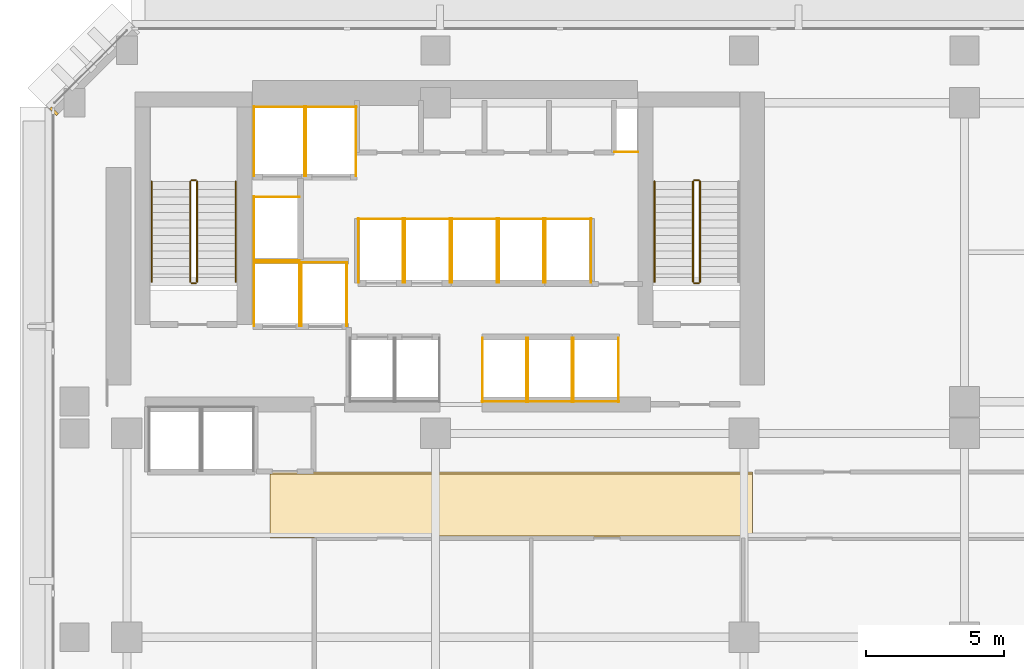
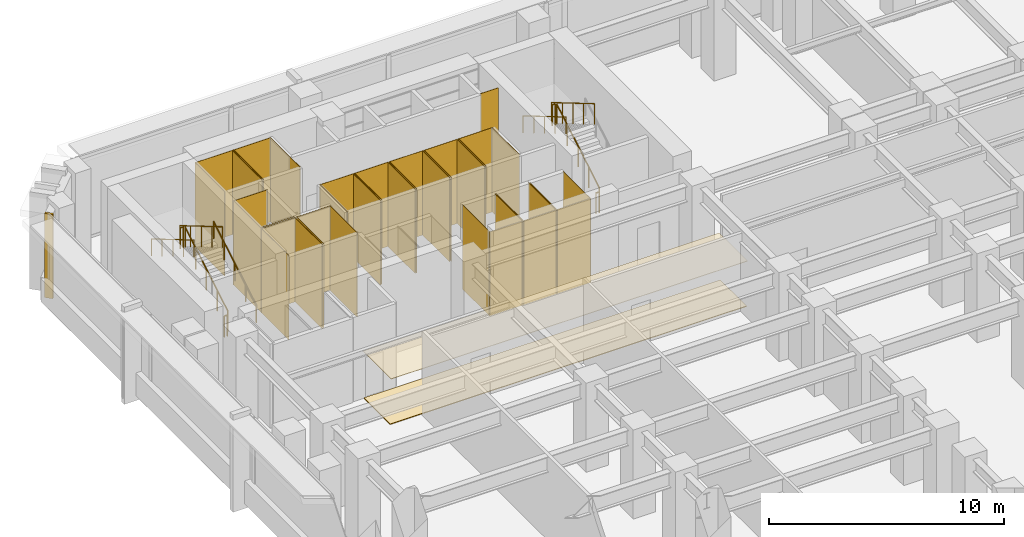
# One storey, part 12 of 14: 43 coverings, 11 railings.
"""IFC4 building model written with IfcOpenShell, lengths in metres."""

import ifcopenshell
import ifcopenshell.guid

model = None  # the IFC model being written
_history = None  # IfcOwnerHistory: only IFC2X3 demands one
_inside = {}  # id of a spatial element -> (the spatial element, [elements in it])
_under = {}  # id of a project, library or spatial element -> (it, [spatial elements below it])
_declared = {}  # id of a project -> (the project, [libraries it declares])
_typed = {}  # id of a type object -> (the type object, [elements of that type])
_made_of = {}  # id of a material, layer set ... -> (it, [elements and type objects made of it])


def new_model(schema):
    """Start an empty IFC model of exactly this schema.

    Asked for "IFC4X3", IfcOpenShell would pick the latest addendum, in which some entities
    have other attributes; the version numbers below select the first issue.
    IFC2X3 requires an IfcOwnerHistory on every rooted entity: one is made here for all.
    """
    global model, _history
    if schema == "IFC4X3":
        model = ifcopenshell.file(schema_version=(4, 3, 0, 0))
    else:
        model = ifcopenshell.file(schema=schema)
    _inside.clear()
    _under.clear()
    _declared.clear()
    _typed.clear()
    _made_of.clear()
    _history = None
    if model.schema == "IFC2X3":
        org = make("IfcOrganization", Name="unknown")
        user = make(
            "IfcPersonAndOrganization",
            ThePerson=make("IfcPerson", FamilyName="unknown"),
            TheOrganization=org,
        )
        app = make(
            "IfcApplication",
            ApplicationDeveloper=org,
            Version="unknown",
            ApplicationFullName="unknown",
            ApplicationIdentifier="unknown",
        )
        _history = make(
            "IfcOwnerHistory",
            OwningUser=user,
            OwningApplication=app,
            ChangeAction="ADDED",
            CreationDate=0,
        )
    return model


def make(cls, **values):
    """One entity of the class cls with the attributes given. An attribute that is None is left unset."""
    return model.create_entity(
        cls, **{name: value for name, value in values.items() if value is not None}
    )


def rooted(cls, **values):
    """An entity with a GlobalId (a new one), such as an element, a storey or a relation."""
    return make(cls, GlobalId=ifcopenshell.guid.new(), OwnerHistory=_history, **values)


def si_unit(unit_type, name, prefix=None):
    """IfcSIUnit, for example si_unit("LENGTHUNIT", "METRE", prefix="MILLI")."""
    return make("IfcSIUnit", UnitType=unit_type, Prefix=prefix, Name=name)


def assignment(units):
    """IfcUnitAssignment: the units of a project."""
    return None if units is None else make("IfcUnitAssignment", Units=units)


def point(xyz):
    """IfcCartesianPoint."""
    return None if xyz is None else make("IfcCartesianPoint", Coordinates=xyz)


def direction(xyz):
    """IfcDirection."""
    return None if xyz is None else make("IfcDirection", DirectionRatios=xyz)


def frame(location, z_axis=None, x_axis=None):
    """IfcAxis2Placement3D, a coordinate frame: its origin and axes. An axis left out is left unset."""
    return make(
        "IfcAxis2Placement3D",
        Location=point(location),
        Axis=direction(z_axis),
        RefDirection=direction(x_axis),
    )


def frame_2d(location, x_axis=None):
    """IfcAxis2Placement2D, a coordinate frame in the plane: its origin and x axis."""
    return make(
        "IfcAxis2Placement2D", Location=point(location), RefDirection=direction(x_axis)
    )


def origin():
    """The frame at (0, 0, 0) with its axes left unset."""
    return frame((0.0, 0.0, 0.0))


def origin_2d():
    """The frame at (0, 0) in the plane with its x axis left unset."""
    return frame_2d((0.0, 0.0))


def place(relative_to, where):
    """IfcLocalPlacement: puts the frame where relative to a parent placement (None: the world)."""
    return make(
        "IfcLocalPlacement", PlacementRelTo=relative_to, RelativePlacement=where
    )


def context(
    kind, dimensions, precision=None, world=None, true_north=None, identifier=None
):
    """IfcGeometricRepresentationContext, for example the 3D "Model" context."""
    return make(
        "IfcGeometricRepresentationContext",
        ContextIdentifier=identifier,
        ContextType=kind,
        CoordinateSpaceDimension=dimensions,
        Precision=precision,
        WorldCoordinateSystem=world,
        TrueNorth=true_north,
    )


def subcontext(parent, identifier, kind, view, scale=None):
    """IfcGeometricRepresentationSubContext, for example "Body" below "Model"."""
    return make(
        "IfcGeometricRepresentationSubContext",
        ContextIdentifier=identifier,
        ContextType=kind,
        ParentContext=parent,
        TargetScale=scale,
        TargetView=view,
    )


def project(units=None, contexts=None):
    """IfcProject with its units and contexts."""
    return rooted(
        "IfcProject",
        Name="project",
        RepresentationContexts=contexts,
        UnitsInContext=assignment(units),
    )


def spatial(cls, under=None, at=None, **own):
    """A site, building, storey or space (cls), placed at a placement, below another one or the project."""
    s = rooted(cls, ObjectPlacement=at, **own)
    if under is not None:
        _under.setdefault(under.id(), (under, []))[1].append(s)
    return s


def polyline(points):
    """IfcPolyline through the points."""
    return make("IfcPolyline", Points=[point(p) for p in points])


def profile(cls, at=None, kind="AREA", **sizes):
    """A parametric profile (cls). Its sizes go by their IFC names, for example OverallWidth=200.0."""
    return make(cls, ProfileType=kind, Position=at, **sizes)


def rectangle(**sizes):
    """IfcRectangleProfileDef."""
    return profile("IfcRectangleProfileDef", **sizes)


def circle(**sizes):
    """IfcCircleProfileDef."""
    return profile("IfcCircleProfileDef", **sizes)


def outline(outer, holes=None, kind="AREA"):
    """IfcArbitraryClosedProfileDef: a profile drawn as a closed curve; with holes, ...WithVoids."""
    if holes is None:
        return make("IfcArbitraryClosedProfileDef", ProfileType=kind, OuterCurve=outer)
    return make(
        "IfcArbitraryProfileDefWithVoids",
        ProfileType=kind,
        OuterCurve=outer,
        InnerCurves=holes,
    )


def extrude(swept, where, along, depth):
    """IfcExtrudedAreaSolid: the profile swept, set in the frame where, extruded along a direction by depth."""
    return make(
        "IfcExtrudedAreaSolid",
        SweptArea=swept,
        Position=where,
        ExtrudedDirection=direction(along),
        Depth=depth,
    )


def shape(context_of_items, identifier, shape_type, items):
    """IfcShapeRepresentation: the items that make up one representation, for example the "Body"."""
    return make(
        "IfcShapeRepresentation",
        ContextOfItems=context_of_items,
        RepresentationIdentifier=identifier,
        RepresentationType=shape_type,
        Items=items,
    )


def material(Name=None, Category=None):
    """IfcMaterial."""
    return make("IfcMaterial", Name=Name, Category=Category)


def layer(
    of_material, thickness, ventilated=None, Name=None, Category=None, Priority=None
):
    """IfcMaterialLayer: one layer of a wall or slab, of a material (None: an air gap)."""
    return make(
        "IfcMaterialLayer",
        Material=of_material,
        LayerThickness=thickness,
        IsVentilated=ventilated,
        Name=Name,
        Category=Category,
        Priority=Priority,
    )


def layer_set(layers, Name=None):
    """IfcMaterialLayerSet."""
    return make("IfcMaterialLayerSet", MaterialLayers=layers, LayerSetName=Name)


def made_of(thing, what):
    """Note that an element or type object is made of a material, layer set ...; save() writes the relation."""
    if what is not None:
        _made_of.setdefault(what.id(), (what, []))[1].append(thing)
    return thing


def type_object(cls, material=None, **own):
    """A type object (cls), such as IfcWallType, which elements share."""
    return made_of(rooted(cls, **own), material)


def element(
    cls,
    number,
    at=None,
    inside=None,
    cuts=None,
    type_object=None,
    material=None,
    context=None,
    identifier="Body",
    shape_type=None,
    held_by="IfcProductDefinitionShape",
    body=None,
    shapes=None,
    **own,
):
    """One element of the class cls, such as IfcWall. Its Tag is "e" and its number.

    at: its placement. inside: the storey or other place that contains it. cuts: it is an
    opening in that element (IfcRelVoidsElement). A single representation is given by context,
    identifier, shape_type and body (its items); several are given by shapes. held_by: the class
    of the entity that holds the representations. save() writes the other relations.
    """
    e = rooted(cls, Tag="e%d" % number, ObjectPlacement=at, **own)
    if body is not None:
        shapes = [shape(context, identifier, shape_type, body)]
    if shapes is not None:
        e.Representation = make(held_by, Representations=shapes)
    if inside is not None:
        _inside.setdefault(inside.id(), (inside, []))[1].append(e)
    if cuts is not None:
        rooted(
            "IfcRelVoidsElement", RelatingBuildingElement=cuts, RelatedOpeningElement=e
        )
    if type_object is not None:
        _typed.setdefault(type_object.id(), (type_object, []))[1].append(e)
    return made_of(e, material)


def aggregate(whole, parts):
    """IfcRelAggregates: a whole, such as a stair, and the parts it consists of."""
    return rooted("IfcRelAggregates", RelatingObject=whole, RelatedObjects=parts)


def save(model, path):
    """Write the relations noted so far, then the file.

    IfcRelAggregates (storeys below a building ...), IfcRelContainedInSpatialStructure (elements
    in a storey), IfcRelDefinesByType, IfcRelAssociatesMaterial and IfcRelDeclares: one each for
    every whole, place, type object, material and project.
    """
    for whole, parts in _under.values():
        aggregate(whole, parts)
    for where, things in _inside.values():
        rooted(
            "IfcRelContainedInSpatialStructure",
            RelatedElements=things,
            RelatingStructure=where,
        )
    for kind, things in _typed.values():
        rooted("IfcRelDefinesByType", RelatedObjects=things, RelatingType=kind)
    for what, things in _made_of.values():
        rooted("IfcRelAssociatesMaterial", RelatedObjects=things, RelatingMaterial=what)
    for by, libraries in _declared.values():
        rooted("IfcRelDeclares", RelatingContext=by, RelatedDefinitions=libraries)
    model.write(path)


model = new_model("IFC4")

# Units and contexts
model_context = context("Model", 3, precision=1e-05, world=origin(), true_north=direction((0.0, 1.0)))
body_context = subcontext(model_context, "Body", "Model", "MODEL_VIEW")
ifc_project = project(units=[si_unit("LENGTHUNIT", "METRE"), si_unit("AREAUNIT", "SQUARE_METRE"), si_unit("VOLUMEUNIT", "CUBIC_METRE"), si_unit("PLANEANGLEUNIT", "RADIAN"), si_unit("MASSUNIT", "GRAM", prefix="KILO")], contexts=[model_context])

# Site, building, storey
site_placement = place(None, origin())
site = spatial("IfcSite", under=ifc_project, at=site_placement, CompositionType="ELEMENT")
building_placement = place(site_placement, origin())
building = spatial("IfcBuilding", under=site, at=building_placement, Name="Kefirva Bronze Tower", CompositionType="ELEMENT")
storey_placement = place(building_placement, frame((0.0, 0.0, 25.739990234375)))
storey = spatial("IfcBuildingStorey", under=building, at=storey_placement, Name="L05", CompositionType="ELEMENT", Elevation=25.739990234375)

# Coverings
ifc_material_1 = material(Name="Acoustic mineral tile")
ifc_layer_1 = layer(ifc_material_1, 0.02490234375, Name="Acoustic mineral tile")
ifc_layer_set_1 = layer_set([ifc_layer_1], Name="Acoustic mineral tile")
covering_type_1 = type_object("IfcCoveringType", Name="Acoustic Mineral Suspended Ceiling 25mm", PredefinedType="CEILING", material=ifc_layer_set_1)
covering_1_placement = place(storey_placement, frame((0.0, 0.0, 2.39990234375)))
element("IfcCovering", 1, at=covering_1_placement, inside=storey, type_object=covering_type_1, Name="L05 Corridor Acoustic Ceiling", PredefinedType="CEILING", context=body_context, shape_type="SweptSolid", body=[
    extrude(outline(polyline([(6.0, 29.39990234375), (23.5, 29.39990234375), (23.5, 31.800048828125), (6.0, 31.800048828125), (6.0, 29.39990234375)])), origin(), (0.0, 0.0, 1.0), 0.025146484375),
])
ifc_material_2 = material(Name="Bronze anodised aluminium", Category="aluminium")
ifc_layer_2 = layer(ifc_material_2, 0.02001953125, Name="Bronze anodised aluminium")
ifc_layer_set_2 = layer_set([ifc_layer_2], Name="Bronze anodised aluminium")
covering_type_2 = type_object("IfcCoveringType", Name="Anodised Bronze Spandrel Cladding 20mm", PredefinedType="CLADDING", material=ifc_layer_set_2)
covering_2_placement = place(storey_placement, frame((-1.847900390625, 44.8974609375, 0.0), z_axis=(0.0, 0.0, 1.0), x_axis=(-0.707106781187, -0.707106781187, 0.0)))
element("IfcCovering", 2, at=covering_2_placement, inside=storey, type_object=covering_type_2, Name="L05 Facade Joint Closure Panel 6E", PredefinedType="CLADDING", context=body_context, shape_type="SweptSolid", body=[
    extrude(rectangle(XDim=0.10009765625, YDim=0.360107421875, at=origin_2d()), origin(), (0.0, 0.0, 1.0), 4.3701171875),
])
covering_3_placement = place(storey_placement, origin())
element("IfcCovering", 3, at=covering_3_placement, inside=storey, type_object=covering_type_2, Name="L05 Lift FF1 Hoistway Liner N", PredefinedType="CLADDING", context=body_context, shape_type="SweptSolid", body=[
    extrude(outline(polyline([(5.39990234375, 39.389892578125), (7.080078125, 39.389892578125), (7.080078125, 39.409912109375), (5.39990234375, 39.409912109375), (5.39990234375, 39.389892578125)])), origin(), (0.0, 0.0, 1.0), 4.3701171875),
])
covering_4_placement = place(storey_placement, origin())
element("IfcCovering", 4, at=covering_4_placement, inside=storey, type_object=covering_type_2, Name="L05 Lift FF1 Hoistway Liner W", PredefinedType="CLADDING", context=body_context, shape_type="SweptSolid", body=[
    extrude(outline(polyline([(5.409912109375, 37.080078125), (5.429931640625, 37.080078125), (5.429931640625, 39.419921875), (5.409912109375, 39.419921875), (5.409912109375, 37.080078125)])), origin(), (0.0, 0.0, 1.0), 4.3701171875),
])
covering_5_placement = place(storey_placement, origin())
element("IfcCovering", 5, at=covering_5_placement, inside=storey, type_object=covering_type_2, Name="L05 Lift FF1 Hoistway Liner E", PredefinedType="CLADDING", context=body_context, shape_type="SweptSolid", body=[
    extrude(outline(polyline([(7.050048828125, 37.080078125), (7.070068359375, 37.080078125), (7.070068359375, 39.419921875), (7.050048828125, 39.419921875), (7.050048828125, 37.080078125)])), origin(), (0.0, 0.0, 1.0), 4.3701171875),
])
covering_6_placement = place(storey_placement, origin())
element("IfcCovering", 6, at=covering_6_placement, inside=storey, type_object=covering_type_2, Name="L05 Lift FF2 Hoistway Liner N", PredefinedType="CLADDING", context=body_context, shape_type="SweptSolid", body=[
    extrude(outline(polyline([(7.1201171875, 39.389892578125), (8.800048828125, 39.389892578125), (8.800048828125, 39.409912109375), (7.1201171875, 39.409912109375), (7.1201171875, 39.389892578125)])), origin(), (0.0, 0.0, 1.0), 4.3701171875),
])
covering_7_placement = place(storey_placement, origin())
element("IfcCovering", 7, at=covering_7_placement, inside=storey, type_object=covering_type_2, Name="L05 Lift FF2 Hoistway Liner W", PredefinedType="CLADDING", context=body_context, shape_type="SweptSolid", body=[
    extrude(outline(polyline([(7.1298828125, 37.080078125), (7.14990234375, 37.080078125), (7.14990234375, 39.419921875), (7.1298828125, 39.419921875), (7.1298828125, 37.080078125)])), origin(), (0.0, 0.0, 1.0), 4.3701171875),
])
covering_8_placement = place(storey_placement, origin())
element("IfcCovering", 8, at=covering_8_placement, inside=storey, type_object=covering_type_2, Name="L05 Lift FF2 Hoistway Liner E", PredefinedType="CLADDING", context=body_context, shape_type="SweptSolid", body=[
    extrude(outline(polyline([(8.77001953125, 37.080078125), (8.7900390625, 37.080078125), (8.7900390625, 39.419921875), (8.77001953125, 39.419921875), (8.77001953125, 37.080078125)])), origin(), (0.0, 0.0, 1.0), 4.3701171875),
])
covering_9_placement = place(storey_placement, origin())
element("IfcCovering", 9, at=covering_9_placement, inside=storey, type_object=covering_type_2, Name="L05 Lift SV1 Hoistway Liner N", PredefinedType="CLADDING", context=body_context, shape_type="SweptSolid", body=[
    extrude(outline(polyline([(5.39990234375, 45.0400390625), (7.260009765625, 45.0400390625), (7.260009765625, 45.06005859375), (5.39990234375, 45.06005859375), (5.39990234375, 45.0400390625)])), origin(), (0.0, 0.0, 1.0), 4.3701171875),
])
covering_10_placement = place(storey_placement, origin())
element("IfcCovering", 10, at=covering_10_placement, inside=storey, type_object=covering_type_2, Name="L05 Lift SV1 Hoistway Liner W", PredefinedType="CLADDING", context=body_context, shape_type="SweptSolid", body=[
    extrude(outline(polyline([(5.409912109375, 42.530029296875), (5.429931640625, 42.530029296875), (5.429931640625, 45.070068359375), (5.409912109375, 45.070068359375), (5.409912109375, 42.530029296875)])), origin(), (0.0, 0.0, 1.0), 4.3701171875),
])
covering_11_placement = place(storey_placement, origin())
element("IfcCovering", 11, at=covering_11_placement, inside=storey, type_object=covering_type_2, Name="L05 Lift SV1 Hoistway Liner E", PredefinedType="CLADDING", context=body_context, shape_type="SweptSolid", body=[
    extrude(outline(polyline([(7.22998046875, 42.530029296875), (7.25, 42.530029296875), (7.25, 45.070068359375), (7.22998046875, 45.070068359375), (7.22998046875, 42.530029296875)])), origin(), (0.0, 0.0, 1.0), 4.3701171875),
])
covering_12_placement = place(storey_placement, origin())
element("IfcCovering", 12, at=covering_12_placement, inside=storey, type_object=covering_type_2, Name="L05 Lift SV2 Hoistway Liner N", PredefinedType="CLADDING", context=body_context, shape_type="SweptSolid", body=[
    extrude(outline(polyline([(7.280029296875, 45.0400390625), (9.139892578125, 45.0400390625), (9.139892578125, 45.06005859375), (7.280029296875, 45.06005859375), (7.280029296875, 45.0400390625)])), origin(), (0.0, 0.0, 1.0), 4.3701171875),
])
covering_13_placement = place(storey_placement, origin())
element("IfcCovering", 13, at=covering_13_placement, inside=storey, type_object=covering_type_2, Name="L05 Lift SV2 Hoistway Liner W", PredefinedType="CLADDING", context=body_context, shape_type="SweptSolid", body=[
    extrude(outline(polyline([(7.2900390625, 42.530029296875), (7.31005859375, 42.530029296875), (7.31005859375, 45.070068359375), (7.2900390625, 45.070068359375), (7.2900390625, 42.530029296875)])), origin(), (0.0, 0.0, 1.0), 4.3701171875),
])
covering_14_placement = place(storey_placement, origin())
element("IfcCovering", 14, at=covering_14_placement, inside=storey, type_object=covering_type_2, Name="L05 Lift SV2 Hoistway Liner E", PredefinedType="CLADDING", context=body_context, shape_type="SweptSolid", body=[
    extrude(outline(polyline([(9.110107421875, 42.530029296875), (9.1298828125, 42.530029296875), (9.1298828125, 45.070068359375), (9.110107421875, 45.070068359375), (9.110107421875, 42.530029296875)])), origin(), (0.0, 0.0, 1.0), 4.3701171875),
])
covering_15_placement = place(storey_placement, origin())
element("IfcCovering", 15, at=covering_15_placement, inside=storey, type_object=covering_type_2, Name="L05 Lift LP3 Hoistway Liner N", PredefinedType="CLADDING", context=body_context, shape_type="SweptSolid", body=[
    extrude(outline(polyline([(9.179931640625, 40.969970703125), (10.85009765625, 40.969970703125), (10.85009765625, 40.989990234375), (9.179931640625, 40.989990234375), (9.179931640625, 40.969970703125)])), origin(), (0.0, 0.0, 1.0), 4.3701171875),
])
covering_16_placement = place(storey_placement, origin())
element("IfcCovering", 16, at=covering_16_placement, inside=storey, type_object=covering_type_2, Name="L05 Lift LP3 Hoistway Liner W", PredefinedType="CLADDING", context=body_context, shape_type="SweptSolid", body=[
    extrude(outline(polyline([(9.18994140625, 38.659912109375), (9.2099609375, 38.659912109375), (9.2099609375, 41.0), (9.18994140625, 41.0), (9.18994140625, 38.659912109375)])), origin(), (0.0, 0.0, 1.0), 4.3701171875),
])
covering_17_placement = place(storey_placement, origin())
element("IfcCovering", 17, at=covering_17_placement, inside=storey, type_object=covering_type_2, Name="L05 Lift LP3 Hoistway Liner E", PredefinedType="CLADDING", context=body_context, shape_type="SweptSolid", body=[
    extrude(outline(polyline([(10.820068359375, 38.659912109375), (10.840087890625, 38.659912109375), (10.840087890625, 41.0), (10.820068359375, 41.0), (10.820068359375, 38.659912109375)])), origin(), (0.0, 0.0, 1.0), 4.3701171875),
])
covering_18_placement = place(storey_placement, origin())
element("IfcCovering", 18, at=covering_18_placement, inside=storey, type_object=covering_type_2, Name="L05 Lift LP4 Hoistway Liner N", PredefinedType="CLADDING", context=body_context, shape_type="SweptSolid", body=[
    extrude(outline(polyline([(10.8798828125, 40.969970703125), (12.550048828125, 40.969970703125), (12.550048828125, 40.989990234375), (10.8798828125, 40.989990234375), (10.8798828125, 40.969970703125)])), origin(), (0.0, 0.0, 1.0), 4.3701171875),
])
covering_19_placement = place(storey_placement, origin())
element("IfcCovering", 19, at=covering_19_placement, inside=storey, type_object=covering_type_2, Name="L05 Lift LP4 Hoistway Liner W", PredefinedType="CLADDING", context=body_context, shape_type="SweptSolid", body=[
    extrude(outline(polyline([(10.889892578125, 38.659912109375), (10.909912109375, 38.659912109375), (10.909912109375, 41.0), (10.889892578125, 41.0), (10.889892578125, 38.659912109375)])), origin(), (0.0, 0.0, 1.0), 4.3701171875),
])
covering_20_placement = place(storey_placement, origin())
element("IfcCovering", 20, at=covering_20_placement, inside=storey, type_object=covering_type_2, Name="L05 Lift LP4 Hoistway Liner E", PredefinedType="CLADDING", context=body_context, shape_type="SweptSolid", body=[
    extrude(outline(polyline([(12.52001953125, 38.659912109375), (12.5400390625, 38.659912109375), (12.5400390625, 41.0), (12.52001953125, 41.0), (12.52001953125, 38.659912109375)])), origin(), (0.0, 0.0, 1.0), 4.3701171875),
])
covering_21_placement = place(storey_placement, origin())
element("IfcCovering", 21, at=covering_21_placement, inside=storey, type_object=covering_type_2, Name="L05 Lift MP1 Hoistway Liner S", PredefinedType="CLADDING", context=body_context, shape_type="SweptSolid", body=[
    extrude(outline(polyline([(13.679931640625, 34.340087890625), (15.320068359375, 34.340087890625), (15.320068359375, 34.360107421875), (13.679931640625, 34.360107421875), (13.679931640625, 34.340087890625)])), origin(), (0.0, 0.0, 1.0), 4.3701171875),
])
covering_22_placement = place(storey_placement, origin())
element("IfcCovering", 22, at=covering_22_placement, inside=storey, type_object=covering_type_2, Name="L05 Lift MP1 Hoistway Liner W", PredefinedType="CLADDING", context=body_context, shape_type="SweptSolid", body=[
    extrude(outline(polyline([(13.68994140625, 34.330078125), (13.7099609375, 34.330078125), (13.7099609375, 36.669921875), (13.68994140625, 36.669921875), (13.68994140625, 34.330078125)])), origin(), (0.0, 0.0, 1.0), 4.3701171875),
])
covering_23_placement = place(storey_placement, origin())
element("IfcCovering", 23, at=covering_23_placement, inside=storey, type_object=covering_type_2, Name="L05 Lift MP1 Hoistway Liner E", PredefinedType="CLADDING", context=body_context, shape_type="SweptSolid", body=[
    extrude(outline(polyline([(15.2900390625, 34.330078125), (15.31005859375, 34.330078125), (15.31005859375, 36.669921875), (15.2900390625, 36.669921875), (15.2900390625, 34.330078125)])), origin(), (0.0, 0.0, 1.0), 4.3701171875),
])
covering_24_placement = place(storey_placement, origin())
element("IfcCovering", 24, at=covering_24_placement, inside=storey, type_object=covering_type_2, Name="L05 Lift MP2 Hoistway Liner S", PredefinedType="CLADDING", context=body_context, shape_type="SweptSolid", body=[
    extrude(outline(polyline([(15.330078125, 34.340087890625), (16.969970703125, 34.340087890625), (16.969970703125, 34.360107421875), (15.330078125, 34.360107421875), (15.330078125, 34.340087890625)])), origin(), (0.0, 0.0, 1.0), 4.3701171875),
])
covering_25_placement = place(storey_placement, origin())
element("IfcCovering", 25, at=covering_25_placement, inside=storey, type_object=covering_type_2, Name="L05 Lift MP2 Hoistway Liner W", PredefinedType="CLADDING", context=body_context, shape_type="SweptSolid", body=[
    extrude(outline(polyline([(15.340087890625, 34.330078125), (15.360107421875, 34.330078125), (15.360107421875, 36.669921875), (15.340087890625, 36.669921875), (15.340087890625, 34.330078125)])), origin(), (0.0, 0.0, 1.0), 4.3701171875),
])
covering_26_placement = place(storey_placement, origin())
element("IfcCovering", 26, at=covering_26_placement, inside=storey, type_object=covering_type_2, Name="L05 Lift MP2 Hoistway Liner E", PredefinedType="CLADDING", context=body_context, shape_type="SweptSolid", body=[
    extrude(outline(polyline([(16.93994140625, 34.330078125), (16.9599609375, 34.330078125), (16.9599609375, 36.669921875), (16.93994140625, 36.669921875), (16.93994140625, 34.330078125)])), origin(), (0.0, 0.0, 1.0), 4.3701171875),
])
covering_27_placement = place(storey_placement, origin())
element("IfcCovering", 27, at=covering_27_placement, inside=storey, type_object=covering_type_2, Name="L05 Lift MP3 Hoistway Liner N", PredefinedType="CLADDING", context=body_context, shape_type="SweptSolid", body=[
    extrude(outline(polyline([(12.580078125, 40.969970703125), (14.25, 40.969970703125), (14.25, 40.989990234375), (12.580078125, 40.989990234375), (12.580078125, 40.969970703125)])), origin(), (0.0, 0.0, 1.0), 4.3701171875),
])
covering_28_placement = place(storey_placement, origin())
element("IfcCovering", 28, at=covering_28_placement, inside=storey, type_object=covering_type_2, Name="L05 Lift MP3 Hoistway Liner W", PredefinedType="CLADDING", context=body_context, shape_type="SweptSolid", body=[
    extrude(outline(polyline([(12.590087890625, 38.659912109375), (12.610107421875, 38.659912109375), (12.610107421875, 41.0), (12.590087890625, 41.0), (12.590087890625, 38.659912109375)])), origin(), (0.0, 0.0, 1.0), 4.3701171875),
])
covering_29_placement = place(storey_placement, origin())
element("IfcCovering", 29, at=covering_29_placement, inside=storey, type_object=covering_type_2, Name="L05 Lift MP3 Hoistway Liner E", PredefinedType="CLADDING", context=body_context, shape_type="SweptSolid", body=[
    extrude(outline(polyline([(14.219970703125, 38.659912109375), (14.239990234375, 38.659912109375), (14.239990234375, 41.0), (14.219970703125, 41.0), (14.219970703125, 38.659912109375)])), origin(), (0.0, 0.0, 1.0), 4.3701171875),
])
covering_30_placement = place(storey_placement, origin())
element("IfcCovering", 30, at=covering_30_placement, inside=storey, type_object=covering_type_2, Name="L05 Lift MP4 Hoistway Liner N", PredefinedType="CLADDING", context=body_context, shape_type="SweptSolid", body=[
    extrude(outline(polyline([(14.280029296875, 40.969970703125), (15.949951171875, 40.969970703125), (15.949951171875, 40.989990234375), (14.280029296875, 40.989990234375), (14.280029296875, 40.969970703125)])), origin(), (0.0, 0.0, 1.0), 4.3701171875),
])
covering_31_placement = place(storey_placement, origin())
element("IfcCovering", 31, at=covering_31_placement, inside=storey, type_object=covering_type_2, Name="L05 Lift MP4 Hoistway Liner W", PredefinedType="CLADDING", context=body_context, shape_type="SweptSolid", body=[
    extrude(outline(polyline([(14.2900390625, 38.659912109375), (14.31005859375, 38.659912109375), (14.31005859375, 41.0), (14.2900390625, 41.0), (14.2900390625, 38.659912109375)])), origin(), (0.0, 0.0, 1.0), 4.3701171875),
])
covering_32_placement = place(storey_placement, origin())
element("IfcCovering", 32, at=covering_32_placement, inside=storey, type_object=covering_type_2, Name="L05 Lift MP4 Hoistway Liner E", PredefinedType="CLADDING", context=body_context, shape_type="SweptSolid", body=[
    extrude(outline(polyline([(15.919921875, 38.659912109375), (15.93994140625, 38.659912109375), (15.93994140625, 41.0), (15.919921875, 41.0), (15.919921875, 38.659912109375)])), origin(), (0.0, 0.0, 1.0), 4.3701171875),
])
covering_33_placement = place(storey_placement, origin())
element("IfcCovering", 33, at=covering_33_placement, inside=storey, type_object=covering_type_2, Name="L05 Lift HP1 Hoistway Liner S", PredefinedType="CLADDING", context=body_context, shape_type="SweptSolid", body=[
    extrude(outline(polyline([(16.97998046875, 34.340087890625), (18.669921875, 34.340087890625), (18.669921875, 34.360107421875), (16.97998046875, 34.360107421875), (16.97998046875, 34.340087890625)])), origin(), (0.0, 0.0, 1.0), 4.3701171875),
])
covering_34_placement = place(storey_placement, origin())
element("IfcCovering", 34, at=covering_34_placement, inside=storey, type_object=covering_type_2, Name="L05 Lift HP1 Hoistway Liner W", PredefinedType="CLADDING", context=body_context, shape_type="SweptSolid", body=[
    extrude(outline(polyline([(16.989990234375, 34.330078125), (17.010009765625, 34.330078125), (17.010009765625, 36.669921875), (16.989990234375, 36.669921875), (16.989990234375, 34.330078125)])), origin(), (0.0, 0.0, 1.0), 4.3701171875),
])
covering_35_placement = place(storey_placement, origin())
element("IfcCovering", 35, at=covering_35_placement, inside=storey, type_object=covering_type_2, Name="L05 Lift HP1 Hoistway Liner E", PredefinedType="CLADDING", context=body_context, shape_type="SweptSolid", body=[
    extrude(outline(polyline([(18.639892578125, 34.330078125), (18.659912109375, 34.330078125), (18.659912109375, 36.669921875), (18.639892578125, 36.669921875), (18.639892578125, 34.330078125)])), origin(), (0.0, 0.0, 1.0), 4.3701171875),
])
covering_36_placement = place(storey_placement, origin())
element("IfcCovering", 36, at=covering_36_placement, inside=storey, type_object=covering_type_2, Name="L05 Lift HP2 Hoistway Liner N", PredefinedType="CLADDING", context=body_context, shape_type="SweptSolid", body=[
    extrude(outline(polyline([(15.97998046875, 40.969970703125), (17.669921875, 40.969970703125), (17.669921875, 40.989990234375), (15.97998046875, 40.989990234375), (15.97998046875, 40.969970703125)])), origin(), (0.0, 0.0, 1.0), 4.3701171875),
])
covering_37_placement = place(storey_placement, origin())
element("IfcCovering", 37, at=covering_37_placement, inside=storey, type_object=covering_type_2, Name="L05 Lift HP2 Hoistway Liner W", PredefinedType="CLADDING", context=body_context, shape_type="SweptSolid", body=[
    extrude(outline(polyline([(15.989990234375, 38.659912109375), (16.010009765625, 38.659912109375), (16.010009765625, 41.0), (15.989990234375, 41.0), (15.989990234375, 38.659912109375)])), origin(), (0.0, 0.0, 1.0), 4.3701171875),
])
covering_38_placement = place(storey_placement, origin())
element("IfcCovering", 38, at=covering_38_placement, inside=storey, type_object=covering_type_2, Name="L05 Lift HP2 Hoistway Liner E", PredefinedType="CLADDING", context=body_context, shape_type="SweptSolid", body=[
    extrude(outline(polyline([(17.639892578125, 38.659912109375), (17.659912109375, 38.659912109375), (17.659912109375, 41.0), (17.639892578125, 41.0), (17.639892578125, 38.659912109375)])), origin(), (0.0, 0.0, 1.0), 4.3701171875),
])
covering_39_placement = place(storey_placement, origin())
element("IfcCovering", 39, at=covering_39_placement, inside=storey, type_object=covering_type_2, Name="L05 Lift HP3 Hoistway Liner N", PredefinedType="CLADDING", context=body_context, shape_type="SweptSolid", body=[
    extrude(outline(polyline([(5.39990234375, 41.77001953125), (7.080078125, 41.77001953125), (7.080078125, 41.7900390625), (5.39990234375, 41.7900390625), (5.39990234375, 41.77001953125)])), origin(), (0.0, 0.0, 1.0), 4.3701171875),
])
covering_40_placement = place(storey_placement, origin())
element("IfcCovering", 40, at=covering_40_placement, inside=storey, type_object=covering_type_2, Name="L05 Lift HP3 Hoistway Liner S", PredefinedType="CLADDING", context=body_context, shape_type="SweptSolid", body=[
    extrude(outline(polyline([(5.39990234375, 39.469970703125), (7.080078125, 39.469970703125), (7.080078125, 39.489990234375), (5.39990234375, 39.489990234375), (5.39990234375, 39.469970703125)])), origin(), (0.0, 0.0, 1.0), 4.3701171875),
])
covering_41_placement = place(storey_placement, origin())
element("IfcCovering", 41, at=covering_41_placement, inside=storey, type_object=covering_type_2, Name="L05 Lift HP3 Hoistway Liner W", PredefinedType="CLADDING", context=body_context, shape_type="SweptSolid", body=[
    extrude(outline(polyline([(5.409912109375, 39.4599609375), (5.429931640625, 39.4599609375), (5.429931640625, 41.800048828125), (5.409912109375, 41.800048828125), (5.409912109375, 39.4599609375)])), origin(), (0.0, 0.0, 1.0), 4.3701171875),
])
covering_42_placement = place(storey_placement, origin())
element("IfcCovering", 42, at=covering_42_placement, inside=storey, type_object=covering_type_2, Name="L05 Core MEP Riser Shaft Liner South", PredefinedType="CLADDING", context=body_context, shape_type="SweptSolid", body=[
    extrude(outline(polyline([(18.47998046875, 43.39990234375), (19.360107421875, 43.39990234375), (19.360107421875, 43.429931640625), (18.47998046875, 43.429931640625), (18.47998046875, 43.39990234375)])), origin(), (0.0, 0.0, 1.0), 4.3701171875),
])
ifc_material_3 = material(Name="Honed basalt stone paver", Category="masonry")
ifc_layer_3 = layer(ifc_material_3, 0.034912109375, Name="Honed basalt stone paver")
ifc_layer_set_3 = layer_set([ifc_layer_3], Name="Honed basalt stone paver")
covering_type_3 = type_object("IfcCoveringType", Name="Honed Basalt Concourse Flooring 35mm", PredefinedType="FLOORING", material=ifc_layer_set_3)
covering_43_placement = place(storey_placement, origin())
element("IfcCovering", 43, at=covering_43_placement, inside=storey, type_object=covering_type_3, Name="L05 Architectural Finish Flooring", PredefinedType="FLOORING", context=body_context, shape_type="SweptSolid", body=[
    extrude(outline(polyline([(6.0, 29.47998046875), (23.5, 29.47998046875), (23.5, 31.719970703125), (6.0, 31.719970703125), (6.0, 29.47998046875)])), origin(), (0.0, 0.0, 1.0), 0.034912109375),
])

# Railings
ifc_material_4 = material(Name="Stainless steel 316", Category="steel")
railing_type_1 = type_object("IfcRailingType", Name="Interior Stair Guardrail 1100mm", PredefinedType="GUARDRAIL", material=ifc_material_4)
railing_1_placement = place(storey_placement, frame((3.35009765625, 38.699951171875, 0.1650390625)))
element("IfcRailing", 44, at=railing_1_placement, inside=storey, type_object=railing_type_1, Name="L05 ST-1 stair guard 1", PredefinedType="GUARDRAIL", context=body_context, shape_type="SweptSolid", body=[
    extrude(circle(Radius=0.02392578125, at=origin_2d()), frame((0.0, 0.0, 1.076171875), z_axis=(0.0, 0.861544779993, 0.507681585313), x_axis=(-1.0, 0.0, 0.0)), (0.0, 0.0, 1.0), 4.22509765625),
    extrude(circle(Radius=0.02099609375, at=origin_2d()), origin(), (0.0, 0.0, 1.0), 1.052001953125),
    extrude(circle(Radius=0.02099609375, at=origin_2d()), frame((0.0, 0.91015625, 0.5361328125)), (0.0, 0.0, 1.0), 1.052001953125),
    extrude(circle(Radius=0.02099609375, at=origin_2d()), frame((0.0, 1.820068359375, 1.072509765625)), (0.0, 0.0, 1.0), 1.052001953125),
    extrude(circle(Radius=0.02099609375, at=origin_2d()), frame((0.0, 2.72998046875, 1.60888671875)), (0.0, 0.0, 1.0), 1.052001953125),
    extrude(circle(Radius=0.02099609375, at=origin_2d()), frame((0.0, 3.64013671875, 2.14501953125)), (0.0, 0.0, 1.0), 1.052001953125),
])
railing_2_placement = place(storey_placement, frame((3.300048828125, 42.389892578125, 2.31005859375)))
element("IfcRailing", 45, at=railing_2_placement, inside=storey, type_object=railing_type_1, Name="L05 ST-1 stair guard 2", PredefinedType="GUARDRAIL", context=body_context, shape_type="SweptSolid", body=[
    extrude(circle(Radius=0.02392578125, at=origin_2d()), frame((0.0, 0.0, 1.076171875), z_axis=(-1.0, 0.0, 0.0), x_axis=(0.0, -1.0, 0.0)), (0.0, 0.0, 1.0), 0.150146484375),
    extrude(circle(Radius=0.02099609375, at=origin_2d()), origin(), (0.0, 0.0, 1.0), 1.052001953125),
    extrude(circle(Radius=0.02099609375, at=origin_2d()), frame((-0.150146484375, 0.0, 0.0)), (0.0, 0.0, 1.0), 1.052001953125),
])
railing_3_placement = place(storey_placement, frame((3.10009765625, 42.340087890625, 2.47509765625)))
element("IfcRailing", 46, at=railing_3_placement, inside=storey, type_object=railing_type_1, Name="L05 ST-1 stair guard 3", PredefinedType="GUARDRAIL", context=body_context, shape_type="SweptSolid", body=[
    extrude(circle(Radius=0.02392578125, at=origin_2d()), frame((0.0, 0.0, 1.076171875), z_axis=(0.0, -0.861544779993, 0.507681585313), x_axis=(1.0, 0.0, 0.0)), (0.0, 0.0, 1.0), 4.22509765625),
    extrude(circle(Radius=0.02099609375, at=origin_2d()), origin(), (0.0, 0.0, 1.0), 1.052001953125),
    extrude(circle(Radius=0.02099609375, at=origin_2d()), frame((0.0, -0.91015625, 0.5361328125)), (0.0, 0.0, 1.0), 1.052001953125),
    extrude(circle(Radius=0.02099609375, at=origin_2d()), frame((0.0, -1.820068359375, 1.072509765625)), (0.0, 0.0, 1.0), 1.052001953125),
    extrude(circle(Radius=0.02099609375, at=origin_2d()), frame((0.0, -2.72998046875, 1.60888671875)), (0.0, 0.0, 1.0), 1.052001953125),
    extrude(circle(Radius=0.02099609375, at=origin_2d()), frame((0.0, -3.64013671875, 2.14501953125)), (0.0, 0.0, 1.0), 1.052001953125),
])
railing_4_placement = place(storey_placement, frame((3.300048828125, 38.64990234375, 0.0)))
element("IfcRailing", 47, at=railing_4_placement, inside=storey, type_object=railing_type_1, Name="L05 ST-1 stair guard 4", PredefinedType="GUARDRAIL", context=body_context, shape_type="SweptSolid", body=[
    extrude(circle(Radius=0.02392578125, at=origin_2d()), frame((0.0, 0.0, 1.076171875), z_axis=(-1.0, 0.0, 0.0), x_axis=(0.0, -1.0, 0.0)), (0.0, 0.0, 1.0), 0.150146484375),
    extrude(circle(Radius=0.02099609375, at=origin_2d()), origin(), (0.0, 0.0, 1.0), 1.052001953125),
    extrude(circle(Radius=0.02099609375, at=origin_2d()), frame((-0.150146484375, 0.0, 0.0)), (0.0, 0.0, 1.0), 1.052001953125),
])
railing_5_placement = place(storey_placement, frame((21.60009765625, 38.699951171875, 0.1650390625)))
element("IfcRailing", 48, at=railing_5_placement, inside=storey, type_object=railing_type_1, Name="L05 ST-2 stair guard 1", PredefinedType="GUARDRAIL", context=body_context, shape_type="SweptSolid", body=[
    extrude(circle(Radius=0.02392578125, at=origin_2d()), frame((0.0, 0.0, 1.076171875), z_axis=(0.0, 0.861544779993, 0.507681585313), x_axis=(-1.0, 0.0, 0.0)), (0.0, 0.0, 1.0), 4.22509765625),
    extrude(circle(Radius=0.02099609375, at=origin_2d()), origin(), (0.0, 0.0, 1.0), 1.052001953125),
    extrude(circle(Radius=0.02099609375, at=origin_2d()), frame((0.0, 0.91015625, 0.5361328125)), (0.0, 0.0, 1.0), 1.052001953125),
    extrude(circle(Radius=0.02099609375, at=origin_2d()), frame((0.0, 1.820068359375, 1.072509765625)), (0.0, 0.0, 1.0), 1.052001953125),
    extrude(circle(Radius=0.02099609375, at=origin_2d()), frame((0.0, 2.72998046875, 1.60888671875)), (0.0, 0.0, 1.0), 1.052001953125),
    extrude(circle(Radius=0.02099609375, at=origin_2d()), frame((0.0, 3.64013671875, 2.14501953125)), (0.0, 0.0, 1.0), 1.052001953125),
])
railing_6_placement = place(storey_placement, frame((21.550048828125, 42.389892578125, 2.31005859375)))
element("IfcRailing", 49, at=railing_6_placement, inside=storey, type_object=railing_type_1, Name="L05 ST-2 stair guard 2", PredefinedType="GUARDRAIL", context=body_context, shape_type="SweptSolid", body=[
    extrude(circle(Radius=0.02392578125, at=origin_2d()), frame((0.0, 0.0, 1.076171875), z_axis=(-1.0, 0.0, 0.0), x_axis=(0.0, -1.0, 0.0)), (0.0, 0.0, 1.0), 0.150146484375),
    extrude(circle(Radius=0.02099609375, at=origin_2d()), origin(), (0.0, 0.0, 1.0), 1.052001953125),
    extrude(circle(Radius=0.02099609375, at=origin_2d()), frame((-0.150146484375, 0.0, 0.0)), (0.0, 0.0, 1.0), 1.052001953125),
])
railing_7_placement = place(storey_placement, frame((21.35009765625, 42.340087890625, 2.47509765625)))
element("IfcRailing", 50, at=railing_7_placement, inside=storey, type_object=railing_type_1, Name="L05 ST-2 stair guard 3", PredefinedType="GUARDRAIL", context=body_context, shape_type="SweptSolid", body=[
    extrude(circle(Radius=0.02392578125, at=origin_2d()), frame((0.0, 0.0, 1.076171875), z_axis=(0.0, -0.861544779993, 0.507681585313), x_axis=(1.0, 0.0, 0.0)), (0.0, 0.0, 1.0), 4.22509765625),
    extrude(circle(Radius=0.02099609375, at=origin_2d()), origin(), (0.0, 0.0, 1.0), 1.052001953125),
    extrude(circle(Radius=0.02099609375, at=origin_2d()), frame((0.0, -0.91015625, 0.5361328125)), (0.0, 0.0, 1.0), 1.052001953125),
    extrude(circle(Radius=0.02099609375, at=origin_2d()), frame((0.0, -1.820068359375, 1.072509765625)), (0.0, 0.0, 1.0), 1.052001953125),
    extrude(circle(Radius=0.02099609375, at=origin_2d()), frame((0.0, -2.72998046875, 1.60888671875)), (0.0, 0.0, 1.0), 1.052001953125),
    extrude(circle(Radius=0.02099609375, at=origin_2d()), frame((0.0, -3.64013671875, 2.14501953125)), (0.0, 0.0, 1.0), 1.052001953125),
])
railing_8_placement = place(storey_placement, frame((21.550048828125, 38.64990234375, 0.0)))
element("IfcRailing", 51, at=railing_8_placement, inside=storey, type_object=railing_type_1, Name="L05 ST-2 stair guard 4", PredefinedType="GUARDRAIL", context=body_context, shape_type="SweptSolid", body=[
    extrude(circle(Radius=0.02392578125, at=origin_2d()), frame((0.0, 0.0, 1.076171875), z_axis=(-1.0, 0.0, 0.0), x_axis=(0.0, -1.0, 0.0)), (0.0, 0.0, 1.0), 0.150146484375),
    extrude(circle(Radius=0.02099609375, at=origin_2d()), origin(), (0.0, 0.0, 1.0), 1.052001953125),
    extrude(circle(Radius=0.02099609375, at=origin_2d()), frame((-0.150146484375, 0.0, 0.0)), (0.0, 0.0, 1.0), 1.052001953125),
])
railing_type_2 = type_object("IfcRailingType", Name="Stair Pitch Handrail 900mm", PredefinedType="HANDRAIL", material=ifc_material_4)
railing_9_placement = place(storey_placement, frame((4.75, 38.699951171875, 0.1650390625)))
element("IfcRailing", 52, at=railing_9_placement, inside=storey, type_object=railing_type_2, Name="L05 ST-1 stair handrail 1", PredefinedType="HANDRAIL", context=body_context, shape_type="SweptSolid", body=[
    extrude(circle(Radius=0.02392578125, at=origin_2d()), frame((0.0, 0.0, 0.8759765625), z_axis=(0.0, 0.861544779993, 0.507681585313), x_axis=(-1.0, 0.0, 0.0)), (0.0, 0.0, 1.0), 4.22509765625),
    extrude(circle(Radius=0.02099609375, at=origin_2d()), origin(), (0.0, 0.0, 1.0), 0.851806640625),
    extrude(circle(Radius=0.02099609375, at=origin_2d()), frame((0.0, 0.91015625, 0.5361328125)), (0.0, 0.0, 1.0), 0.851806640625),
    extrude(circle(Radius=0.02099609375, at=origin_2d()), frame((0.0, 1.820068359375, 1.072509765625)), (0.0, 0.0, 1.0), 0.851806640625),
    extrude(circle(Radius=0.02099609375, at=origin_2d()), frame((0.0, 2.72998046875, 1.60888671875)), (0.0, 0.0, 1.0), 0.851806640625),
    extrude(circle(Radius=0.02099609375, at=origin_2d()), frame((0.0, 3.64013671875, 2.14501953125)), (0.0, 0.0, 1.0), 0.851806640625),
])
for number, where, name in (
    (53, (1.699951171875, 42.340087890625, 2.47509765625), "L05 ST-1 stair handrail 2"),
    (54, (19.949951171875, 42.340087890625, 2.47509765625), "L05 ST-2 stair handrail 2"),
):
    element("IfcRailing", number, at=place(storey_placement, frame(where)), inside=storey, type_object=railing_type_2, Name=name, PredefinedType="HANDRAIL", context=body_context, shape_type="SweptSolid", body=[
        extrude(circle(Radius=0.02392578125, at=origin_2d()), frame((0.0, 0.0, 0.8759765625), z_axis=(0.0, -0.861544779993, 0.507681585313), x_axis=(1.0, 0.0, 0.0)), (0.0, 0.0, 1.0), 4.22509765625),
        extrude(circle(Radius=0.02099609375, at=origin_2d()), origin(), (0.0, 0.0, 1.0), 0.851806640625),
        extrude(circle(Radius=0.02099609375, at=origin_2d()), frame((0.0, -0.91015625, 0.5361328125)), (0.0, 0.0, 1.0), 0.851806640625),
        extrude(circle(Radius=0.02099609375, at=origin_2d()), frame((0.0, -1.820068359375, 1.072509765625)), (0.0, 0.0, 1.0), 0.851806640625),
        extrude(circle(Radius=0.02099609375, at=origin_2d()), frame((0.0, -2.72998046875, 1.60888671875)), (0.0, 0.0, 1.0), 0.851806640625),
        extrude(circle(Radius=0.02099609375, at=origin_2d()), frame((0.0, -3.64013671875, 2.14501953125)), (0.0, 0.0, 1.0), 0.851806640625),
    ])

save(model, "model.ifc")
